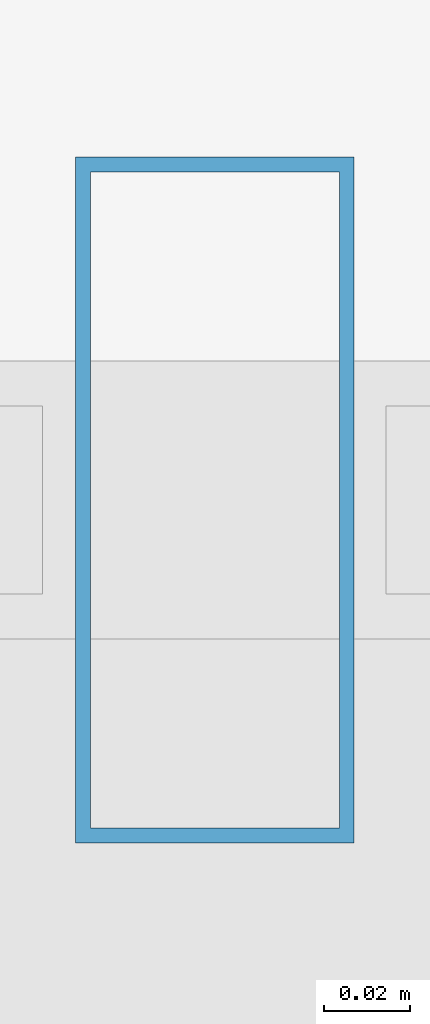
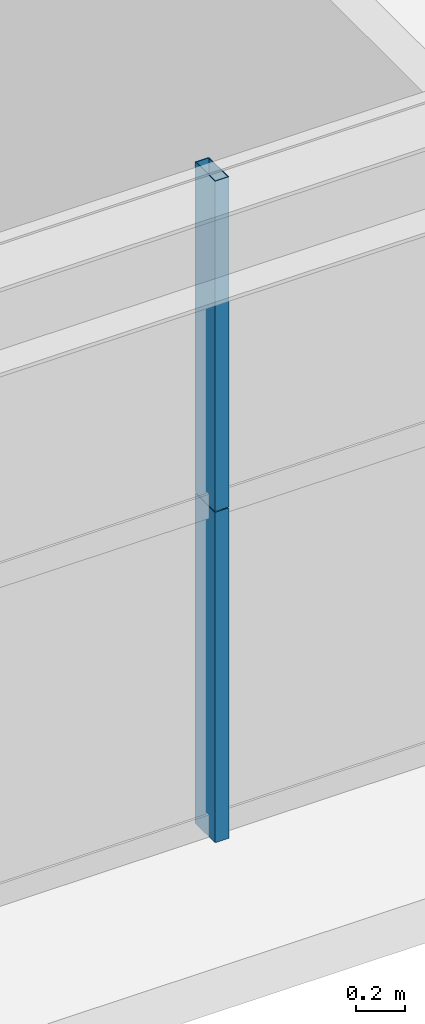
# One storey, part 6 of 38: 2 members, 1 element without a shape of its own.
"""IFC4 building model written with IfcOpenShell, lengths in metres."""

import ifcopenshell
import ifcopenshell.guid

model = None  # the IFC model being written
_history = None  # IfcOwnerHistory: only IFC2X3 demands one
_inside = {}  # id of a spatial element -> (the spatial element, [elements in it])
_under = {}  # id of a project, library or spatial element -> (it, [spatial elements below it])
_declared = {}  # id of a project -> (the project, [libraries it declares])
_typed = {}  # id of a type object -> (the type object, [elements of that type])
_made_of = {}  # id of a material, layer set ... -> (it, [elements and type objects made of it])


def new_model(schema):
    """Start an empty IFC model of exactly this schema.

    Asked for "IFC4X3", IfcOpenShell would pick the latest addendum, in which some entities
    have other attributes; the version numbers below select the first issue.
    IFC2X3 requires an IfcOwnerHistory on every rooted entity: one is made here for all.
    """
    global model, _history
    if schema == "IFC4X3":
        model = ifcopenshell.file(schema_version=(4, 3, 0, 0))
    else:
        model = ifcopenshell.file(schema=schema)
    _inside.clear()
    _under.clear()
    _declared.clear()
    _typed.clear()
    _made_of.clear()
    _history = None
    if model.schema == "IFC2X3":
        org = make("IfcOrganization", Name="unknown")
        user = make(
            "IfcPersonAndOrganization",
            ThePerson=make("IfcPerson", FamilyName="unknown"),
            TheOrganization=org,
        )
        app = make(
            "IfcApplication",
            ApplicationDeveloper=org,
            Version="unknown",
            ApplicationFullName="unknown",
            ApplicationIdentifier="unknown",
        )
        _history = make(
            "IfcOwnerHistory",
            OwningUser=user,
            OwningApplication=app,
            ChangeAction="ADDED",
            CreationDate=0,
        )
    return model


def make(cls, **values):
    """One entity of the class cls with the attributes given. An attribute that is None is left unset."""
    return model.create_entity(
        cls, **{name: value for name, value in values.items() if value is not None}
    )


def rooted(cls, **values):
    """An entity with a GlobalId (a new one), such as an element, a storey or a relation."""
    return make(cls, GlobalId=ifcopenshell.guid.new(), OwnerHistory=_history, **values)


def si_unit(unit_type, name, prefix=None):
    """IfcSIUnit, for example si_unit("LENGTHUNIT", "METRE", prefix="MILLI")."""
    return make("IfcSIUnit", UnitType=unit_type, Prefix=prefix, Name=name)


def assignment(units):
    """IfcUnitAssignment: the units of a project."""
    return None if units is None else make("IfcUnitAssignment", Units=units)


def point(xyz):
    """IfcCartesianPoint."""
    return None if xyz is None else make("IfcCartesianPoint", Coordinates=xyz)


def direction(xyz):
    """IfcDirection."""
    return None if xyz is None else make("IfcDirection", DirectionRatios=xyz)


def frame(location, z_axis=None, x_axis=None):
    """IfcAxis2Placement3D, a coordinate frame: its origin and axes. An axis left out is left unset."""
    return make(
        "IfcAxis2Placement3D",
        Location=point(location),
        Axis=direction(z_axis),
        RefDirection=direction(x_axis),
    )


def frame_2d(location, x_axis=None):
    """IfcAxis2Placement2D, a coordinate frame in the plane: its origin and x axis."""
    return make(
        "IfcAxis2Placement2D", Location=point(location), RefDirection=direction(x_axis)
    )


def origin():
    """The frame at (0, 0, 0) with its axes left unset."""
    return frame((0.0, 0.0, 0.0))


def origin_2d():
    """The frame at (0, 0) in the plane with its x axis left unset."""
    return frame_2d((0.0, 0.0))


def place(relative_to, where):
    """IfcLocalPlacement: puts the frame where relative to a parent placement (None: the world)."""
    return make(
        "IfcLocalPlacement", PlacementRelTo=relative_to, RelativePlacement=where
    )


def context(
    kind, dimensions, precision=None, world=None, true_north=None, identifier=None
):
    """IfcGeometricRepresentationContext, for example the 3D "Model" context."""
    return make(
        "IfcGeometricRepresentationContext",
        ContextIdentifier=identifier,
        ContextType=kind,
        CoordinateSpaceDimension=dimensions,
        Precision=precision,
        WorldCoordinateSystem=world,
        TrueNorth=true_north,
    )


def subcontext(parent, identifier, kind, view, scale=None):
    """IfcGeometricRepresentationSubContext, for example "Body" below "Model"."""
    return make(
        "IfcGeometricRepresentationSubContext",
        ContextIdentifier=identifier,
        ContextType=kind,
        ParentContext=parent,
        TargetScale=scale,
        TargetView=view,
    )


def project(units=None, contexts=None):
    """IfcProject with its units and contexts."""
    return rooted(
        "IfcProject",
        Name="project",
        RepresentationContexts=contexts,
        UnitsInContext=assignment(units),
    )


def spatial(cls, under=None, at=None, **own):
    """A site, building, storey or space (cls), placed at a placement, below another one or the project."""
    s = rooted(cls, ObjectPlacement=at, **own)
    if under is not None:
        _under.setdefault(under.id(), (under, []))[1].append(s)
    return s


def profile(cls, at=None, kind="AREA", **sizes):
    """A parametric profile (cls). Its sizes go by their IFC names, for example OverallWidth=200.0."""
    return make(cls, ProfileType=kind, Position=at, **sizes)


def hollow_rectangle(**sizes):
    """IfcRectangleHollowProfileDef."""
    return profile("IfcRectangleHollowProfileDef", **sizes)


def extrude(swept, where, along, depth):
    """IfcExtrudedAreaSolid: the profile swept, set in the frame where, extruded along a direction by depth."""
    return make(
        "IfcExtrudedAreaSolid",
        SweptArea=swept,
        Position=where,
        ExtrudedDirection=direction(along),
        Depth=depth,
    )


def shape(context_of_items, identifier, shape_type, items):
    """IfcShapeRepresentation: the items that make up one representation, for example the "Body"."""
    return make(
        "IfcShapeRepresentation",
        ContextOfItems=context_of_items,
        RepresentationIdentifier=identifier,
        RepresentationType=shape_type,
        Items=items,
    )


def source(mapping_origin, context_of_items, identifier, shape_type, items):
    """IfcRepresentationMap: a shape defined once, which mapped items show again and again."""
    return make(
        "IfcRepresentationMap",
        MappingOrigin=mapping_origin,
        MappedRepresentation=shape(context_of_items, identifier, shape_type, items),
    )


def transform(
    local_origin,
    x_axis=None,
    y_axis=None,
    z_axis=None,
    scale=None,
    scale2=None,
    scale3=None,
    uniform=True,
):
    """IfcCartesianTransformationOperator3D, or its non-uniform kind. x_axis, y_axis, z_axis: its Axis1, 2, 3."""
    if uniform:
        return make(
            "IfcCartesianTransformationOperator3D",
            Axis1=direction(x_axis),
            Axis2=direction(y_axis),
            LocalOrigin=point(local_origin),
            Scale=scale,
            Axis3=direction(z_axis),
        )
    return make(
        "IfcCartesianTransformationOperator3DnonUniform",
        Axis1=direction(x_axis),
        Axis2=direction(y_axis),
        LocalOrigin=point(local_origin),
        Scale=scale,
        Axis3=direction(z_axis),
        Scale2=scale2,
        Scale3=scale3,
    )


def mapped(mapping_source, mapping_target):
    """IfcMappedItem: shows the shape of a source again, moved by a transform."""
    return make(
        "IfcMappedItem", MappingSource=mapping_source, MappingTarget=mapping_target
    )


def material(Name=None, Category=None):
    """IfcMaterial."""
    return make("IfcMaterial", Name=Name, Category=Category)


def layer(
    of_material, thickness, ventilated=None, Name=None, Category=None, Priority=None
):
    """IfcMaterialLayer: one layer of a wall or slab, of a material (None: an air gap)."""
    return make(
        "IfcMaterialLayer",
        Material=of_material,
        LayerThickness=thickness,
        IsVentilated=ventilated,
        Name=Name,
        Category=Category,
        Priority=Priority,
    )


def layer_set(layers, Name=None):
    """IfcMaterialLayerSet."""
    return make("IfcMaterialLayerSet", MaterialLayers=layers, LayerSetName=Name)


def material_profile(
    of_material, cross_section, Name=None, Category=None, Priority=None
):
    """IfcMaterialProfile: a cross section and its material."""
    return make(
        "IfcMaterialProfile",
        Name=Name,
        Material=of_material,
        Profile=cross_section,
        Priority=Priority,
        Category=Category,
    )


def profile_set(profiles, Name=None, composite=None):
    """IfcMaterialProfileSet."""
    return make(
        "IfcMaterialProfileSet",
        Name=Name,
        MaterialProfiles=profiles,
        CompositeProfile=composite,
    )


def made_of(thing, what):
    """Note that an element or type object is made of a material, layer set ...; save() writes the relation."""
    if what is not None:
        _made_of.setdefault(what.id(), (what, []))[1].append(thing)
    return thing


def type_object(cls, material=None, **own):
    """A type object (cls), such as IfcWallType, which elements share."""
    return made_of(rooted(cls, **own), material)


def element(
    cls,
    number,
    at=None,
    inside=None,
    cuts=None,
    type_object=None,
    material=None,
    context=None,
    identifier="Body",
    shape_type=None,
    held_by="IfcProductDefinitionShape",
    body=None,
    shapes=None,
    **own,
):
    """One element of the class cls, such as IfcWall. Its Tag is "e" and its number.

    at: its placement. inside: the storey or other place that contains it. cuts: it is an
    opening in that element (IfcRelVoidsElement). A single representation is given by context,
    identifier, shape_type and body (its items); several are given by shapes. held_by: the class
    of the entity that holds the representations. save() writes the other relations.
    """
    e = rooted(cls, Tag="e%d" % number, ObjectPlacement=at, **own)
    if body is not None:
        shapes = [shape(context, identifier, shape_type, body)]
    if shapes is not None:
        e.Representation = make(held_by, Representations=shapes)
    if inside is not None:
        _inside.setdefault(inside.id(), (inside, []))[1].append(e)
    if cuts is not None:
        rooted(
            "IfcRelVoidsElement", RelatingBuildingElement=cuts, RelatedOpeningElement=e
        )
    if type_object is not None:
        _typed.setdefault(type_object.id(), (type_object, []))[1].append(e)
    return made_of(e, material)


def aggregate(whole, parts):
    """IfcRelAggregates: a whole, such as a stair, and the parts it consists of."""
    return rooted("IfcRelAggregates", RelatingObject=whole, RelatedObjects=parts)


def save(model, path):
    """Write the relations noted so far, then the file.

    IfcRelAggregates (storeys below a building ...), IfcRelContainedInSpatialStructure (elements
    in a storey), IfcRelDefinesByType, IfcRelAssociatesMaterial and IfcRelDeclares: one each for
    every whole, place, type object, material and project.
    """
    for whole, parts in _under.values():
        aggregate(whole, parts)
    for where, things in _inside.values():
        rooted(
            "IfcRelContainedInSpatialStructure",
            RelatedElements=things,
            RelatingStructure=where,
        )
    for kind, things in _typed.values():
        rooted("IfcRelDefinesByType", RelatedObjects=things, RelatingType=kind)
    for what, things in _made_of.values():
        rooted("IfcRelAssociatesMaterial", RelatedObjects=things, RelatingMaterial=what)
    for by, libraries in _declared.values():
        rooted("IfcRelDeclares", RelatingContext=by, RelatedDefinitions=libraries)
    model.write(path)


model = new_model("IFC4")

# Units and contexts
model_context = context("Model", 3, precision=1e-05, world=origin(), true_north=direction((0.0, 1.0)))
body_context = subcontext(model_context, "Body", "Model", "MODEL_VIEW")
ifc_project = project(units=[si_unit("LENGTHUNIT", "METRE"), si_unit("AREAUNIT", "SQUARE_METRE"), si_unit("VOLUMEUNIT", "CUBIC_METRE"), si_unit("PLANEANGLEUNIT", "RADIAN"), si_unit("MASSUNIT", "GRAM", prefix="KILO"), si_unit("THERMODYNAMICTEMPERATUREUNIT", "KELVIN"), si_unit("POWERUNIT", "WATT")], contexts=[model_context])

# Site, building, storey
site_placement = place(None, origin())
site = spatial("IfcSite", under=ifc_project, at=site_placement, CompositionType="ELEMENT")
building_placement = place(site_placement, origin())
building = spatial("IfcBuilding", under=site, at=building_placement, Name="Yuzanri Waterfront Tower", CompositionType="ELEMENT")
storey_placement = place(building_placement, frame((0.0, 0.0, 209.0)))
storey = spatial("IfcBuildingStorey", under=building, at=storey_placement, Name="L55", CompositionType="ELEMENT", Elevation=209.0)

# Curtain wall, members
ifc_material_1 = material(Name="Anodized Architectural Bronze", Category="metal")
ifc_layer = layer(ifc_material_1, 0.159912109375)
ifc_layer_set = layer_set([ifc_layer], Name="Anodized Architectural Bronze")
curtain_wall_type = type_object("IfcCurtainWallType", Name="Anodized Bronze Mid-Rise Residential Acoustic Unitized Curtain Wall 7200", PredefinedType="NOTDEFINED", material=ifc_layer_set)
curtain_wall_placement = place(storey_placement, origin())
curtain_wall = element("IfcCurtainWall", 1, at=curtain_wall_placement, inside=storey, type_object=curtain_wall_type, Name="L55 Curtain Wall CW-L55-SL", PredefinedType="NOTDEFINED")
ifc_material_2 = material(Name="Anodized Architectural Bronze", Category="metal")
ifc_material_profile = material_profile(ifc_material_2, hollow_rectangle(XDim=0.06494140625, YDim=0.159912109375, WallThickness=0.00341796875, at=origin_2d()), Name="CWM 65x160")
ifc_profile_set = profile_set([ifc_material_profile], Name="Anodized Architectural Bronze")
member_type = type_object("IfcMemberType", Name="Anodized Bronze Upper-Zone Curtain-Wall Mullion 65x160", PredefinedType="MULLION", material=ifc_profile_set)
shared_shape = source(origin(), body_context, "Body", "SweptSolid", [
    extrude(hollow_rectangle(XDim=0.06494140625, YDim=0.159912109375, WallThickness=0.00341796875, at=origin_2d()), origin(), (0.0, 0.0, 1.0), 1.637939453125),
])
member_1_placement = place(storey_placement, frame((29.425048828125, 3.85009765625, 0.0), z_axis=(0.0, 0.0, 1.0), x_axis=(1.0, 0.0, 0.0)))
member_1 = element("IfcMember", 2, at=member_1_placement, type_object=member_type, Name="CW-L55-SL Lower Mullion 01", PredefinedType="MULLION", context=body_context, shape_type="MappedRepresentation", body=[
    mapped(shared_shape, transform((0.0, 0.0, 0.0), scale=1.0)),
])
member_2_placement = place(storey_placement, frame((29.425048828125, 3.85009765625, 1.64208984375), z_axis=(0.0, 0.0, 1.0), x_axis=(1.0, 0.0, 0.0)))
member_2 = element("IfcMember", 3, at=member_2_placement, type_object=member_type, Name="CW-L55-SL Upper Mullion 01", PredefinedType="MULLION", context=body_context, shape_type="MappedRepresentation", body=[
    mapped(shared_shape, transform((0.0, 0.0, 0.0), scale=1.0)),
])
aggregate(curtain_wall, [member_1, member_2])

save(model, "model.ifc")
